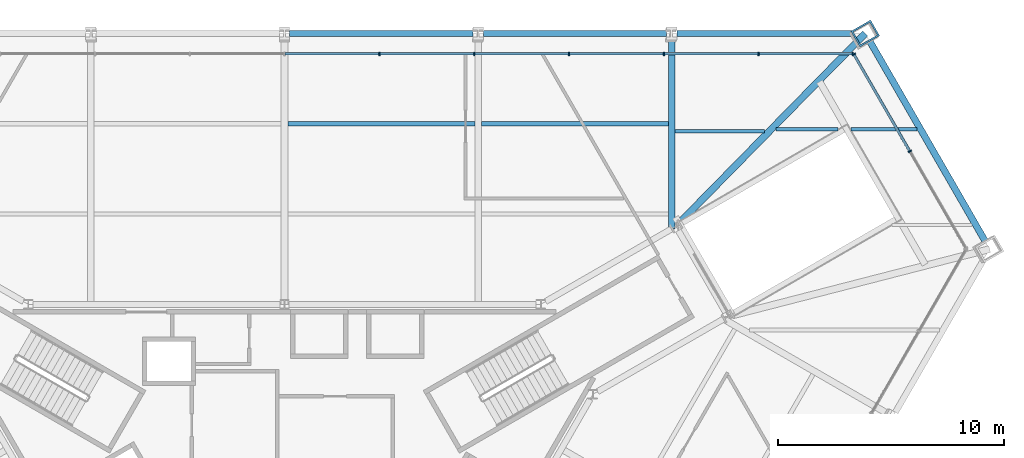
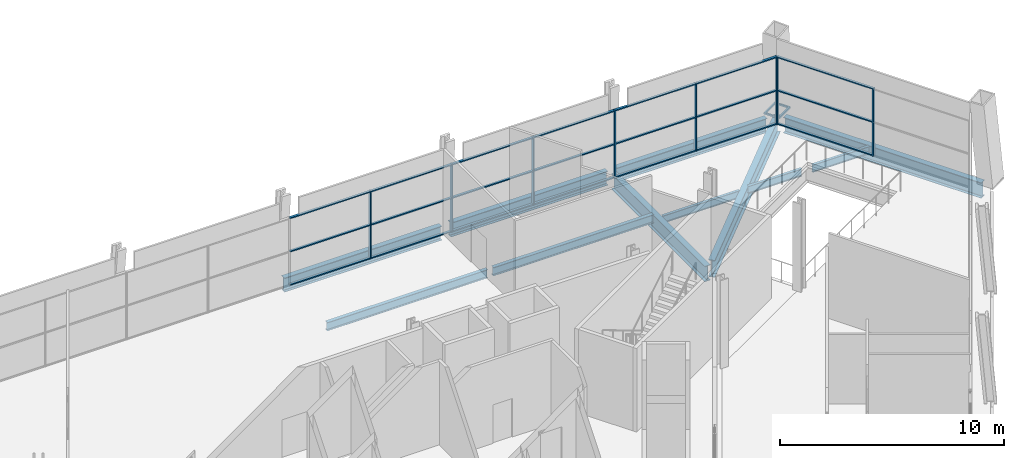
# One storey, part 10 of 18: 30 members, 11 beams, 2 elements without a shape of their own.
"""IFC4 building model written with IfcOpenShell, lengths in metres."""

import ifcopenshell
import ifcopenshell.guid

model = None  # the IFC model being written
_history = None  # IfcOwnerHistory: only IFC2X3 demands one
_inside = {}  # id of a spatial element -> (the spatial element, [elements in it])
_under = {}  # id of a project, library or spatial element -> (it, [spatial elements below it])
_declared = {}  # id of a project -> (the project, [libraries it declares])
_typed = {}  # id of a type object -> (the type object, [elements of that type])
_made_of = {}  # id of a material, layer set ... -> (it, [elements and type objects made of it])


def new_model(schema):
    """Start an empty IFC model of exactly this schema.

    Asked for "IFC4X3", IfcOpenShell would pick the latest addendum, in which some entities
    have other attributes; the version numbers below select the first issue.
    IFC2X3 requires an IfcOwnerHistory on every rooted entity: one is made here for all.
    """
    global model, _history
    if schema == "IFC4X3":
        model = ifcopenshell.file(schema_version=(4, 3, 0, 0))
    else:
        model = ifcopenshell.file(schema=schema)
    _inside.clear()
    _under.clear()
    _declared.clear()
    _typed.clear()
    _made_of.clear()
    _history = None
    if model.schema == "IFC2X3":
        org = make("IfcOrganization", Name="unknown")
        user = make(
            "IfcPersonAndOrganization",
            ThePerson=make("IfcPerson", FamilyName="unknown"),
            TheOrganization=org,
        )
        app = make(
            "IfcApplication",
            ApplicationDeveloper=org,
            Version="unknown",
            ApplicationFullName="unknown",
            ApplicationIdentifier="unknown",
        )
        _history = make(
            "IfcOwnerHistory",
            OwningUser=user,
            OwningApplication=app,
            ChangeAction="ADDED",
            CreationDate=0,
        )
    return model


def make(cls, **values):
    """One entity of the class cls with the attributes given. An attribute that is None is left unset."""
    return model.create_entity(
        cls, **{name: value for name, value in values.items() if value is not None}
    )


def rooted(cls, **values):
    """An entity with a GlobalId (a new one), such as an element, a storey or a relation."""
    return make(cls, GlobalId=ifcopenshell.guid.new(), OwnerHistory=_history, **values)


def si_unit(unit_type, name, prefix=None):
    """IfcSIUnit, for example si_unit("LENGTHUNIT", "METRE", prefix="MILLI")."""
    return make("IfcSIUnit", UnitType=unit_type, Prefix=prefix, Name=name)


def assignment(units):
    """IfcUnitAssignment: the units of a project."""
    return None if units is None else make("IfcUnitAssignment", Units=units)


def point(xyz):
    """IfcCartesianPoint."""
    return None if xyz is None else make("IfcCartesianPoint", Coordinates=xyz)


def direction(xyz):
    """IfcDirection."""
    return None if xyz is None else make("IfcDirection", DirectionRatios=xyz)


def frame(location, z_axis=None, x_axis=None):
    """IfcAxis2Placement3D, a coordinate frame: its origin and axes. An axis left out is left unset."""
    return make(
        "IfcAxis2Placement3D",
        Location=point(location),
        Axis=direction(z_axis),
        RefDirection=direction(x_axis),
    )


def frame_2d(location, x_axis=None):
    """IfcAxis2Placement2D, a coordinate frame in the plane: its origin and x axis."""
    return make(
        "IfcAxis2Placement2D", Location=point(location), RefDirection=direction(x_axis)
    )


def origin():
    """The frame at (0, 0, 0) with its axes left unset."""
    return frame((0.0, 0.0, 0.0))


def origin_2d():
    """The frame at (0, 0) in the plane with its x axis left unset."""
    return frame_2d((0.0, 0.0))


def place(relative_to, where):
    """IfcLocalPlacement: puts the frame where relative to a parent placement (None: the world)."""
    return make(
        "IfcLocalPlacement", PlacementRelTo=relative_to, RelativePlacement=where
    )


def context(
    kind, dimensions, precision=None, world=None, true_north=None, identifier=None
):
    """IfcGeometricRepresentationContext, for example the 3D "Model" context."""
    return make(
        "IfcGeometricRepresentationContext",
        ContextIdentifier=identifier,
        ContextType=kind,
        CoordinateSpaceDimension=dimensions,
        Precision=precision,
        WorldCoordinateSystem=world,
        TrueNorth=true_north,
    )


def subcontext(parent, identifier, kind, view, scale=None):
    """IfcGeometricRepresentationSubContext, for example "Body" below "Model"."""
    return make(
        "IfcGeometricRepresentationSubContext",
        ContextIdentifier=identifier,
        ContextType=kind,
        ParentContext=parent,
        TargetScale=scale,
        TargetView=view,
    )


def project(units=None, contexts=None):
    """IfcProject with its units and contexts."""
    return rooted(
        "IfcProject",
        Name="project",
        RepresentationContexts=contexts,
        UnitsInContext=assignment(units),
    )


def spatial(cls, under=None, at=None, **own):
    """A site, building, storey or space (cls), placed at a placement, below another one or the project."""
    s = rooted(cls, ObjectPlacement=at, **own)
    if under is not None:
        _under.setdefault(under.id(), (under, []))[1].append(s)
    return s


def profile(cls, at=None, kind="AREA", **sizes):
    """A parametric profile (cls). Its sizes go by their IFC names, for example OverallWidth=200.0."""
    return make(cls, ProfileType=kind, Position=at, **sizes)


def rectangle(**sizes):
    """IfcRectangleProfileDef."""
    return profile("IfcRectangleProfileDef", **sizes)


def hollow_rectangle(**sizes):
    """IfcRectangleHollowProfileDef."""
    return profile("IfcRectangleHollowProfileDef", **sizes)


def i_section(**sizes):
    """IfcIShapeProfileDef."""
    return profile("IfcIShapeProfileDef", **sizes)


def extrude(swept, where, along, depth):
    """IfcExtrudedAreaSolid: the profile swept, set in the frame where, extruded along a direction by depth."""
    return make(
        "IfcExtrudedAreaSolid",
        SweptArea=swept,
        Position=where,
        ExtrudedDirection=direction(along),
        Depth=depth,
    )


def shape(context_of_items, identifier, shape_type, items):
    """IfcShapeRepresentation: the items that make up one representation, for example the "Body"."""
    return make(
        "IfcShapeRepresentation",
        ContextOfItems=context_of_items,
        RepresentationIdentifier=identifier,
        RepresentationType=shape_type,
        Items=items,
    )


def material(Name=None, Category=None):
    """IfcMaterial."""
    return make("IfcMaterial", Name=Name, Category=Category)


def layer(
    of_material, thickness, ventilated=None, Name=None, Category=None, Priority=None
):
    """IfcMaterialLayer: one layer of a wall or slab, of a material (None: an air gap)."""
    return make(
        "IfcMaterialLayer",
        Material=of_material,
        LayerThickness=thickness,
        IsVentilated=ventilated,
        Name=Name,
        Category=Category,
        Priority=Priority,
    )


def layer_set(layers, Name=None):
    """IfcMaterialLayerSet."""
    return make("IfcMaterialLayerSet", MaterialLayers=layers, LayerSetName=Name)


def material_profile(
    of_material, cross_section, Name=None, Category=None, Priority=None
):
    """IfcMaterialProfile: a cross section and its material."""
    return make(
        "IfcMaterialProfile",
        Name=Name,
        Material=of_material,
        Profile=cross_section,
        Priority=Priority,
        Category=Category,
    )


def profile_set(profiles, Name=None, composite=None):
    """IfcMaterialProfileSet."""
    return make(
        "IfcMaterialProfileSet",
        Name=Name,
        MaterialProfiles=profiles,
        CompositeProfile=composite,
    )


def made_of(thing, what):
    """Note that an element or type object is made of a material, layer set ...; save() writes the relation."""
    if what is not None:
        _made_of.setdefault(what.id(), (what, []))[1].append(thing)
    return thing


def type_object(cls, material=None, **own):
    """A type object (cls), such as IfcWallType, which elements share."""
    return made_of(rooted(cls, **own), material)


def element(
    cls,
    number,
    at=None,
    inside=None,
    cuts=None,
    type_object=None,
    material=None,
    context=None,
    identifier="Body",
    shape_type=None,
    held_by="IfcProductDefinitionShape",
    body=None,
    shapes=None,
    **own,
):
    """One element of the class cls, such as IfcWall. Its Tag is "e" and its number.

    at: its placement. inside: the storey or other place that contains it. cuts: it is an
    opening in that element (IfcRelVoidsElement). A single representation is given by context,
    identifier, shape_type and body (its items); several are given by shapes. held_by: the class
    of the entity that holds the representations. save() writes the other relations.
    """
    e = rooted(cls, Tag="e%d" % number, ObjectPlacement=at, **own)
    if body is not None:
        shapes = [shape(context, identifier, shape_type, body)]
    if shapes is not None:
        e.Representation = make(held_by, Representations=shapes)
    if inside is not None:
        _inside.setdefault(inside.id(), (inside, []))[1].append(e)
    if cuts is not None:
        rooted(
            "IfcRelVoidsElement", RelatingBuildingElement=cuts, RelatedOpeningElement=e
        )
    if type_object is not None:
        _typed.setdefault(type_object.id(), (type_object, []))[1].append(e)
    return made_of(e, material)


def aggregate(whole, parts):
    """IfcRelAggregates: a whole, such as a stair, and the parts it consists of."""
    return rooted("IfcRelAggregates", RelatingObject=whole, RelatedObjects=parts)


def save(model, path):
    """Write the relations noted so far, then the file.

    IfcRelAggregates (storeys below a building ...), IfcRelContainedInSpatialStructure (elements
    in a storey), IfcRelDefinesByType, IfcRelAssociatesMaterial and IfcRelDeclares: one each for
    every whole, place, type object, material and project.
    """
    for whole, parts in _under.values():
        aggregate(whole, parts)
    for where, things in _inside.values():
        rooted(
            "IfcRelContainedInSpatialStructure",
            RelatedElements=things,
            RelatingStructure=where,
        )
    for kind, things in _typed.values():
        rooted("IfcRelDefinesByType", RelatedObjects=things, RelatingType=kind)
    for what, things in _made_of.values():
        rooted("IfcRelAssociatesMaterial", RelatedObjects=things, RelatingMaterial=what)
    for by, libraries in _declared.values():
        rooted("IfcRelDeclares", RelatingContext=by, RelatedDefinitions=libraries)
    model.write(path)


model = new_model("IFC4")

# Units and contexts
model_context = context("Model", 3, precision=1e-05, world=origin(), true_north=direction((0.0, 1.0)))
body_context = subcontext(model_context, "Body", "Model", "MODEL_VIEW")
ifc_project = project(units=[si_unit("LENGTHUNIT", "METRE"), si_unit("AREAUNIT", "SQUARE_METRE"), si_unit("VOLUMEUNIT", "CUBIC_METRE"), si_unit("PLANEANGLEUNIT", "RADIAN"), si_unit("MASSUNIT", "GRAM", prefix="KILO")], contexts=[model_context])

# Site, building, storey
site_placement = place(None, origin())
site = spatial("IfcSite", under=ifc_project, at=site_placement, CompositionType="ELEMENT")
building_placement = place(site_placement, origin())
building = spatial("IfcBuilding", under=site, at=building_placement, Name="Verrane Prism Tower", CompositionType="ELEMENT")
storey_placement = place(building_placement, frame((0.0, 0.0, 32.0)))
storey = spatial("IfcBuildingStorey", under=building, at=storey_placement, Name="L05", CompositionType="ELEMENT", Elevation=32.0)

# Curtain wall, members
ifc_material_1 = material(Name="Aluminium and glass curtain wall", Category="aluminium")
ifc_layer = layer(ifc_material_1, 0.199951171875)
ifc_layer_set = layer_set([ifc_layer], Name="CWB-1 retail curtain wall")
curtain_wall_type = type_object("IfcCurtainWallType", Name="CWB-1 retail curtain wall", PredefinedType="NOTDEFINED", material=ifc_layer_set)
curtain_wall_1_placement = place(storey_placement, origin())
curtain_wall_1 = element("IfcCurtainWall", 1, at=curtain_wall_1_placement, inside=storey, type_object=curtain_wall_type, Name="Retail curtain wall L05 1", PredefinedType="NOTDEFINED")
ifc_material_2 = material(Name="Aluminium", Category="aluminium")
ifc_material_profile_1 = material_profile(ifc_material_2, rectangle(XDim=0.159912109375, YDim=0.06005859375, at=origin_2d()), Name="CWB-M 60x160 mullion")
ifc_profile_set_1 = profile_set([ifc_material_profile_1], Name="Aluminium")
member_type_1 = type_object("IfcMemberType", Name="CWB-M 60x160 mullion", PredefinedType="MULLION", material=ifc_profile_set_1)
member_1_placement = place(storey_placement, frame((27.63818359375, 15.956787109375, 0.0), z_axis=(0.0, 0.0, 1.0), x_axis=(-0.866025871, -0.499999190758, 0.0)))
member_1 = element("IfcMember", 2, at=member_1_placement, type_object=member_type_1, Name="CWB51 mullion 2", PredefinedType="MULLION", context=body_context, shape_type="SweptSolid", body=[
    extrude(rectangle(XDim=0.159912109375, YDim=0.06005859375, at=origin_2d()), origin(), (0.0, 0.0, 1.0), 3.68994140625),
])
member_2_placement = place(storey_placement, frame((25.162841796875, 20.244140625, 0.0), z_axis=(0.0, 0.0, 1.0), x_axis=(-0.866025871, -0.499999190758, 0.0)))
member_2 = element("IfcMember", 3, at=member_2_placement, type_object=member_type_1, Name="CWB51 mullion 3", PredefinedType="MULLION", context=body_context, shape_type="SweptSolid", body=[
    extrude(rectangle(XDim=0.159912109375, YDim=0.06005859375, at=origin_2d()), origin(), (0.0, 0.0, 1.0), 3.68994140625),
])

curtain_wall_2_placement = place(storey_placement, origin())
curtain_wall_2 = element("IfcCurtainWall", 4, at=curtain_wall_2_placement, inside=storey, type_object=curtain_wall_type, Name="Retail curtain wall L05 2", PredefinedType="NOTDEFINED")
member_3_placement = place(storey_placement, frame((25.117919921875, 20.27001953125, 0.0), z_axis=(0.0, 0.0, 1.0), x_axis=(0.0, -1.0, 0.0)))
member_3 = element("IfcMember", 5, at=member_3_placement, type_object=member_type_1, Name="CWB52 mullion 1", PredefinedType="MULLION", context=body_context, shape_type="SweptSolid", body=[
    extrude(rectangle(XDim=0.159912109375, YDim=0.06005859375, at=origin_2d()), origin(), (0.0, 0.0, 1.0), 3.68994140625),
])
member_4_placement = place(storey_placement, frame((20.95654296875, 20.27001953125, 0.0), z_axis=(0.0, 0.0, 1.0), x_axis=(0.0, -1.0, 0.0)))
member_4 = element("IfcMember", 6, at=member_4_placement, type_object=member_type_1, Name="CWB52 mullion 2", PredefinedType="MULLION", context=body_context, shape_type="SweptSolid", body=[
    extrude(rectangle(XDim=0.159912109375, YDim=0.06005859375, at=origin_2d()), origin(), (0.0, 0.0, 1.0), 3.68994140625),
])
member_5_placement = place(storey_placement, frame((16.76513671875, 20.27001953125, 0.0), z_axis=(0.0, 0.0, 1.0), x_axis=(0.0, -1.0, 0.0)))
member_5 = element("IfcMember", 7, at=member_5_placement, type_object=member_type_1, Name="CWB52 mullion 3", PredefinedType="MULLION", context=body_context, shape_type="SweptSolid", body=[
    extrude(rectangle(XDim=0.159912109375, YDim=0.06005859375, at=origin_2d()), origin(), (0.0, 0.0, 1.0), 3.68994140625),
])
member_6_placement = place(storey_placement, frame((12.573974609375, 20.27001953125, 0.0), z_axis=(0.0, 0.0, 1.0), x_axis=(0.0, -1.0, 0.0)))
member_6 = element("IfcMember", 8, at=member_6_placement, type_object=member_type_1, Name="CWB52 mullion 4", PredefinedType="MULLION", context=body_context, shape_type="SweptSolid", body=[
    extrude(rectangle(XDim=0.159912109375, YDim=0.06005859375, at=origin_2d()), origin(), (0.0, 0.0, 1.0), 3.68994140625),
])
member_7_placement = place(storey_placement, frame((8.382568359375, 20.27001953125, 0.0), z_axis=(0.0, 0.0, 1.0), x_axis=(0.0, -1.0, 0.0)))
member_7 = element("IfcMember", 9, at=member_7_placement, type_object=member_type_1, Name="CWB52 mullion 5", PredefinedType="MULLION", context=body_context, shape_type="SweptSolid", body=[
    extrude(rectangle(XDim=0.159912109375, YDim=0.06005859375, at=origin_2d()), origin(), (0.0, 0.0, 1.0), 3.68994140625),
])
member_8_placement = place(storey_placement, frame((4.19140625, 20.27001953125, 0.0), z_axis=(0.0, 0.0, 1.0), x_axis=(0.0, -1.0, 0.0)))
member_8 = element("IfcMember", 10, at=member_8_placement, type_object=member_type_1, Name="CWB52 mullion 6", PredefinedType="MULLION", context=body_context, shape_type="SweptSolid", body=[
    extrude(rectangle(XDim=0.159912109375, YDim=0.06005859375, at=origin_2d()), origin(), (0.0, 0.0, 1.0), 3.68994140625),
])

# Member
ifc_material_3 = material(Name="Aluminium", Category="aluminium")
ifc_material_profile_2 = material_profile(ifc_material_3, rectangle(XDim=0.1201171875, YDim=0.06005859375, at=origin_2d()), Name="CWB-T 60x120 transom")
ifc_profile_set_2 = profile_set([ifc_material_profile_2], Name="Aluminium")
member_type_2 = type_object("IfcMemberType", Name="CWB-T 60x120 transom", PredefinedType="USERDEFINED", material=ifc_profile_set_2)
member_9_placement = place(storey_placement, frame((27.623046875, 15.98291015625, 0.030029296875), z_axis=(-0.499988949793, 0.86603178353, 0.0), x_axis=(-0.86603178353, -0.499988949793, 0.0)))
member_9 = element("IfcMember", 11, at=member_9_placement, type_object=member_type_2, Name="CWB51 transom 2.1", ObjectType="TRANSOM", PredefinedType="USERDEFINED", context=body_context, shape_type="SweptSolid", body=[
    extrude(rectangle(XDim=0.1201171875, YDim=0.06005859375, at=origin_2d()), origin(), (0.0, 0.0, 1.0), 4.89013671875),
])

member_10_placement = place(storey_placement, frame((27.623046875, 15.98291015625, 1.844970703125), z_axis=(-0.499988949793, 0.86603178353, 0.0), x_axis=(-0.86603178353, -0.499988949793, 0.0)))
member_10 = element("IfcMember", 12, at=member_10_placement, type_object=member_type_2, Name="CWB51 transom 2.2", ObjectType="TRANSOM", PredefinedType="USERDEFINED", context=body_context, shape_type="SweptSolid", body=[
    extrude(rectangle(XDim=0.1201171875, YDim=0.06005859375, at=origin_2d()), origin(), (0.0, 0.0, 1.0), 4.89013671875),
])

member_11_placement = place(storey_placement, frame((27.623046875, 15.98291015625, 3.659912109375), z_axis=(-0.499988949793, 0.86603178353, 0.0), x_axis=(-0.86603178353, -0.499988949793, 0.0)))
member_11 = element("IfcMember", 13, at=member_11_placement, type_object=member_type_2, Name="CWB51 transom 2.3", ObjectType="TRANSOM", PredefinedType="USERDEFINED", context=body_context, shape_type="SweptSolid", body=[
    extrude(rectangle(XDim=0.1201171875, YDim=0.06005859375, at=origin_2d()), origin(), (0.0, 0.0, 1.0), 4.89013671875),
])

aggregate(curtain_wall_1, [member_1, member_2, member_9, member_10, member_11])

member_12_placement = place(storey_placement, frame((25.087890625, 20.27001953125, 0.030029296875), z_axis=(-1.0, 0.0, 0.0), x_axis=(0.0, -1.0, 0.0)))
member_12 = element("IfcMember", 14, at=member_12_placement, type_object=member_type_2, Name="CWB52 transom 1.1", ObjectType="TRANSOM", PredefinedType="USERDEFINED", context=body_context, shape_type="SweptSolid", body=[
    extrude(rectangle(XDim=0.1201171875, YDim=0.06005859375, at=origin_2d()), origin(), (0.0, 0.0, 1.0), 4.101318359375),
])

member_13_placement = place(storey_placement, frame((25.087890625, 20.27001953125, 1.844970703125), z_axis=(-1.0, 0.0, 0.0), x_axis=(0.0, -1.0, 0.0)))
member_13 = element("IfcMember", 15, at=member_13_placement, type_object=member_type_2, Name="CWB52 transom 1.2", ObjectType="TRANSOM", PredefinedType="USERDEFINED", context=body_context, shape_type="SweptSolid", body=[
    extrude(rectangle(XDim=0.1201171875, YDim=0.06005859375, at=origin_2d()), origin(), (0.0, 0.0, 1.0), 4.101318359375),
])

member_14_placement = place(storey_placement, frame((25.087890625, 20.27001953125, 3.659912109375), z_axis=(-1.0, 0.0, 0.0), x_axis=(0.0, -1.0, 0.0)))
member_14 = element("IfcMember", 16, at=member_14_placement, type_object=member_type_2, Name="CWB52 transom 1.3", ObjectType="TRANSOM", PredefinedType="USERDEFINED", context=body_context, shape_type="SweptSolid", body=[
    extrude(rectangle(XDim=0.1201171875, YDim=0.06005859375, at=origin_2d()), origin(), (0.0, 0.0, 1.0), 4.101318359375),
])

member_15_placement = place(storey_placement, frame((20.926513671875, 20.27001953125, 0.030029296875), z_axis=(-1.0, 0.0, 0.0), x_axis=(0.0, -1.0, 0.0)))
member_15 = element("IfcMember", 17, at=member_15_placement, type_object=member_type_2, Name="CWB52 transom 2.1", ObjectType="TRANSOM", PredefinedType="USERDEFINED", context=body_context, shape_type="SweptSolid", body=[
    extrude(rectangle(XDim=0.1201171875, YDim=0.06005859375, at=origin_2d()), origin(), (0.0, 0.0, 1.0), 4.13134765625),
])

member_16_placement = place(storey_placement, frame((20.926513671875, 20.27001953125, 1.844970703125), z_axis=(-1.0, 0.0, 0.0), x_axis=(0.0, -1.0, 0.0)))
member_16 = element("IfcMember", 18, at=member_16_placement, type_object=member_type_2, Name="CWB52 transom 2.2", ObjectType="TRANSOM", PredefinedType="USERDEFINED", context=body_context, shape_type="SweptSolid", body=[
    extrude(rectangle(XDim=0.1201171875, YDim=0.06005859375, at=origin_2d()), origin(), (0.0, 0.0, 1.0), 4.13134765625),
])

member_17_placement = place(storey_placement, frame((20.926513671875, 20.27001953125, 3.659912109375), z_axis=(-1.0, 0.0, 0.0), x_axis=(0.0, -1.0, 0.0)))
member_17 = element("IfcMember", 19, at=member_17_placement, type_object=member_type_2, Name="CWB52 transom 2.3", ObjectType="TRANSOM", PredefinedType="USERDEFINED", context=body_context, shape_type="SweptSolid", body=[
    extrude(rectangle(XDim=0.1201171875, YDim=0.06005859375, at=origin_2d()), origin(), (0.0, 0.0, 1.0), 4.13134765625),
])

member_18_placement = place(storey_placement, frame((16.7353515625, 20.27001953125, 0.030029296875), z_axis=(-1.0, 0.0, 0.0), x_axis=(0.0, -1.0, 0.0)))
member_18 = element("IfcMember", 20, at=member_18_placement, type_object=member_type_2, Name="CWB52 transom 3.1", ObjectType="TRANSOM", PredefinedType="USERDEFINED", context=body_context, shape_type="SweptSolid", body=[
    extrude(rectangle(XDim=0.1201171875, YDim=0.06005859375, at=origin_2d()), origin(), (0.0, 0.0, 1.0), 4.13134765625),
])

member_19_placement = place(storey_placement, frame((16.7353515625, 20.27001953125, 1.844970703125), z_axis=(-1.0, 0.0, 0.0), x_axis=(0.0, -1.0, 0.0)))
member_19 = element("IfcMember", 21, at=member_19_placement, type_object=member_type_2, Name="CWB52 transom 3.2", ObjectType="TRANSOM", PredefinedType="USERDEFINED", context=body_context, shape_type="SweptSolid", body=[
    extrude(rectangle(XDim=0.1201171875, YDim=0.06005859375, at=origin_2d()), origin(), (0.0, 0.0, 1.0), 4.13134765625),
])

member_20_placement = place(storey_placement, frame((16.7353515625, 20.27001953125, 3.659912109375), z_axis=(-1.0, 0.0, 0.0), x_axis=(0.0, -1.0, 0.0)))
member_20 = element("IfcMember", 22, at=member_20_placement, type_object=member_type_2, Name="CWB52 transom 3.3", ObjectType="TRANSOM", PredefinedType="USERDEFINED", context=body_context, shape_type="SweptSolid", body=[
    extrude(rectangle(XDim=0.1201171875, YDim=0.06005859375, at=origin_2d()), origin(), (0.0, 0.0, 1.0), 4.13134765625),
])

member_21_placement = place(storey_placement, frame((12.5439453125, 20.27001953125, 0.030029296875), z_axis=(-1.0, 0.0, 0.0), x_axis=(0.0, -1.0, 0.0)))
member_21 = element("IfcMember", 23, at=member_21_placement, type_object=member_type_2, Name="CWB52 transom 4.1", ObjectType="TRANSOM", PredefinedType="USERDEFINED", context=body_context, shape_type="SweptSolid", body=[
    extrude(rectangle(XDim=0.1201171875, YDim=0.06005859375, at=origin_2d()), origin(), (0.0, 0.0, 1.0), 4.13134765625),
])

member_22_placement = place(storey_placement, frame((12.5439453125, 20.27001953125, 1.844970703125), z_axis=(-1.0, 0.0, 0.0), x_axis=(0.0, -1.0, 0.0)))
member_22 = element("IfcMember", 24, at=member_22_placement, type_object=member_type_2, Name="CWB52 transom 4.2", ObjectType="TRANSOM", PredefinedType="USERDEFINED", context=body_context, shape_type="SweptSolid", body=[
    extrude(rectangle(XDim=0.1201171875, YDim=0.06005859375, at=origin_2d()), origin(), (0.0, 0.0, 1.0), 4.13134765625),
])

member_23_placement = place(storey_placement, frame((12.5439453125, 20.27001953125, 3.659912109375), z_axis=(-1.0, 0.0, 0.0), x_axis=(0.0, -1.0, 0.0)))
member_23 = element("IfcMember", 25, at=member_23_placement, type_object=member_type_2, Name="CWB52 transom 4.3", ObjectType="TRANSOM", PredefinedType="USERDEFINED", context=body_context, shape_type="SweptSolid", body=[
    extrude(rectangle(XDim=0.1201171875, YDim=0.06005859375, at=origin_2d()), origin(), (0.0, 0.0, 1.0), 4.13134765625),
])

member_24_placement = place(storey_placement, frame((8.3525390625, 20.27001953125, 0.030029296875), z_axis=(-1.0, 0.0, 0.0), x_axis=(0.0, -1.0, 0.0)))
member_24 = element("IfcMember", 26, at=member_24_placement, type_object=member_type_2, Name="CWB52 transom 5.1", ObjectType="TRANSOM", PredefinedType="USERDEFINED", context=body_context, shape_type="SweptSolid", body=[
    extrude(rectangle(XDim=0.1201171875, YDim=0.06005859375, at=origin_2d()), origin(), (0.0, 0.0, 1.0), 4.131103515625),
])

member_25_placement = place(storey_placement, frame((8.3525390625, 20.27001953125, 1.844970703125), z_axis=(-1.0, 0.0, 0.0), x_axis=(0.0, -1.0, 0.0)))
member_25 = element("IfcMember", 27, at=member_25_placement, type_object=member_type_2, Name="CWB52 transom 5.2", ObjectType="TRANSOM", PredefinedType="USERDEFINED", context=body_context, shape_type="SweptSolid", body=[
    extrude(rectangle(XDim=0.1201171875, YDim=0.06005859375, at=origin_2d()), origin(), (0.0, 0.0, 1.0), 4.131103515625),
])

member_26_placement = place(storey_placement, frame((8.3525390625, 20.27001953125, 3.659912109375), z_axis=(-1.0, 0.0, 0.0), x_axis=(0.0, -1.0, 0.0)))
member_26 = element("IfcMember", 28, at=member_26_placement, type_object=member_type_2, Name="CWB52 transom 5.3", ObjectType="TRANSOM", PredefinedType="USERDEFINED", context=body_context, shape_type="SweptSolid", body=[
    extrude(rectangle(XDim=0.1201171875, YDim=0.06005859375, at=origin_2d()), origin(), (0.0, 0.0, 1.0), 4.131103515625),
])

member_27_placement = place(storey_placement, frame((4.161376953125, 20.27001953125, 0.030029296875), z_axis=(-1.0, 0.0, 0.0), x_axis=(0.0, -1.0, 0.0)))
member_27 = element("IfcMember", 29, at=member_27_placement, type_object=member_type_2, Name="CWB52 transom 6.1", ObjectType="TRANSOM", PredefinedType="USERDEFINED", context=body_context, shape_type="SweptSolid", body=[
    extrude(rectangle(XDim=0.1201171875, YDim=0.06005859375, at=origin_2d()), origin(), (0.0, 0.0, 1.0), 4.13134765625),
])

member_28_placement = place(storey_placement, frame((4.161376953125, 20.27001953125, 1.844970703125), z_axis=(-1.0, 0.0, 0.0), x_axis=(0.0, -1.0, 0.0)))
member_28 = element("IfcMember", 30, at=member_28_placement, type_object=member_type_2, Name="CWB52 transom 6.2", ObjectType="TRANSOM", PredefinedType="USERDEFINED", context=body_context, shape_type="SweptSolid", body=[
    extrude(rectangle(XDim=0.1201171875, YDim=0.06005859375, at=origin_2d()), origin(), (0.0, 0.0, 1.0), 4.13134765625),
])

member_29_placement = place(storey_placement, frame((4.161376953125, 20.27001953125, 3.659912109375), z_axis=(-1.0, 0.0, 0.0), x_axis=(0.0, -1.0, 0.0)))
member_29 = element("IfcMember", 31, at=member_29_placement, type_object=member_type_2, Name="CWB52 transom 6.3", ObjectType="TRANSOM", PredefinedType="USERDEFINED", context=body_context, shape_type="SweptSolid", body=[
    extrude(rectangle(XDim=0.1201171875, YDim=0.06005859375, at=origin_2d()), origin(), (0.0, 0.0, 1.0), 4.13134765625),
])

aggregate(curtain_wall_2, [member_3, member_4, member_5, member_6, member_7, member_8, member_12, member_13, member_14, member_15, member_16, member_17, member_18, member_19, member_20, member_21, member_22, member_23, member_24, member_25, member_26, member_27, member_28, member_29])

# Beams
ifc_material_4 = material(Name="Steel A992", Category="steel")
ifc_material_profile_3 = material_profile(ifc_material_4, i_section(OverallWidth=0.2919921875, OverallDepth=0.845703125, WebThickness=0.015380859375, FlangeThickness=0.0244140625, FilletRadius=0.017822265625, at=origin_2d()), Name="W33x141")
ifc_profile_set_3 = profile_set([ifc_material_profile_3], Name="Steel A992")
beam_type_1 = type_object("IfcBeamType", Name="Chamfer spandrel beam W33x141", PredefinedType="SPANDREL", material=ifc_profile_set_3)
beam_1_placement = place(storey_placement, frame((30.97021484375, 11.986328125, -0.5830078125), z_axis=(-0.49986813558, 0.866101522359, 0.0), x_axis=(-0.866101522359, -0.49986813558, 0.0)))
element("IfcBeam", 32, at=beam_1_placement, inside=storey, type_object=beam_type_1, Name="Chamfer spandrel beam L05", PredefinedType="SPANDREL", context=body_context, shape_type="SweptSolid", body=[
    extrude(i_section(OverallWidth=0.2919921875, OverallDepth=0.845703125, WebThickness=0.015380859375, FlangeThickness=0.0244140625, FilletRadius=0.017822265625, at=origin_2d()), origin(), (0.0, 0.0, 1.0), 10.203369140625),
])
ifc_material_5 = material(Name="Steel A992", Category="steel")
ifc_material_profile_4 = material_profile(ifc_material_5, i_section(OverallWidth=0.307373046875, OverallDepth=0.927001953125, WebThickness=0.01953125, FlangeThickness=0.031982421875, FilletRadius=0.01904296875, at=origin_2d()), Name="W36x194")
ifc_profile_set_4 = profile_set([ifc_material_profile_4], Name="Steel A992")
beam_type_2 = type_object("IfcBeamType", Name="Corner girder W36x194", PredefinedType="BEAM", material=ifc_profile_set_4)
beam_2_placement = place(storey_placement, frame((25.66845703125, 21.16845703125, -0.68359375), z_axis=(-0.700377975453, -0.713772156574, 0.0), x_axis=(0.713772156574, -0.700377975453, 0.0)))
element("IfcBeam", 33, at=beam_2_placement, inside=storey, type_object=beam_type_2, Name="Corner girder L05", PredefinedType="BEAM", context=body_context, shape_type="SweptSolid", body=[
    extrude(i_section(OverallWidth=0.307373046875, OverallDepth=0.927001953125, WebThickness=0.01953125, FlangeThickness=0.031982421875, FilletRadius=0.01904296875, at=origin_2d()), origin(), (0.0, 0.0, 1.0), 11.701904296875),
])
ifc_material_6 = material(Name="Steel A992", Category="steel")
ifc_material_profile_5 = material_profile(ifc_material_6, i_section(OverallWidth=0.140380859375, OverallDepth=0.40380859375, WebThickness=0.007080078125, FlangeThickness=0.01123046875, FilletRadius=0.01025390625, at=origin_2d()), Name="W16x31")
ifc_profile_set_5 = profile_set([ifc_material_profile_5], Name="Steel A992")
beam_type_3 = type_object("IfcBeamType", Name="Floor beam W16x31", PredefinedType="BEAM", material=ifc_profile_set_5)
beam_3_placement = place(storey_placement, frame((17.256103515625, 16.85009765625, -0.36181640625), z_axis=(1.0, 0.0, 0.0), x_axis=(0.0, 1.0, 0.0)))
element("IfcBeam", 34, at=beam_3_placement, inside=storey, type_object=beam_type_3, Name="Floor beam L05", PredefinedType="BEAM", context=body_context, shape_type="SweptSolid", body=[
    extrude(i_section(OverallWidth=0.140380859375, OverallDepth=0.40380859375, WebThickness=0.007080078125, FlangeThickness=0.01123046875, FilletRadius=0.01025390625, at=origin_2d()), origin(), (0.0, 0.0, 1.0), 3.961181640625),
])
beam_4_placement = place(storey_placement, frame((21.730712890625, 16.93505859375, -0.36181640625), z_axis=(1.0, 0.0, 0.0), x_axis=(0.0, 1.0, 0.0)))
element("IfcBeam", 35, at=beam_4_placement, inside=storey, type_object=beam_type_3, Name="Floor beam L05", PredefinedType="BEAM", context=body_context, shape_type="SweptSolid", body=[
    extrude(i_section(OverallWidth=0.140380859375, OverallDepth=0.40380859375, WebThickness=0.007080078125, FlangeThickness=0.01123046875, FilletRadius=0.01025390625, at=origin_2d()), origin(), (0.0, 0.0, 1.0), 2.73681640625),
])
beam_5_placement = place(storey_placement, frame((25.030517578125, 16.93505859375, -0.36181640625), z_axis=(1.0, 0.0, 0.0), x_axis=(0.0, 1.0, 0.0)))
element("IfcBeam", 36, at=beam_5_placement, inside=storey, type_object=beam_type_3, Name="Floor beam L05", PredefinedType="BEAM", context=body_context, shape_type="SweptSolid", body=[
    extrude(i_section(OverallWidth=0.140380859375, OverallDepth=0.40380859375, WebThickness=0.007080078125, FlangeThickness=0.01123046875, FilletRadius=0.01025390625, at=origin_2d()), origin(), (0.0, 0.0, 1.0), 2.9150390625),
])
ifc_material_7 = material(Name="Steel A992", Category="steel")
ifc_material_profile_6 = material_profile(ifc_material_7, i_section(OverallWidth=0.1904296875, OverallDepth=0.457275390625, WebThickness=0.009033203125, FlangeThickness=0.014404296875, FilletRadius=0.01025390625, at=origin_2d()), Name="W18x50")
ifc_profile_set_6 = profile_set([ifc_material_profile_6], Name="Steel A992")
beam_type_4 = type_object("IfcBeamType", Name="Floor beam W18x50", PredefinedType="BEAM", material=ifc_profile_set_6)
beam_6_placement = place(storey_placement, frame((8.7060546875, 17.179931640625, -0.388671875), z_axis=(1.0, 0.0, 0.0), x_axis=(0.0, 1.0, 0.0)))
element("IfcBeam", 37, at=beam_6_placement, inside=storey, type_object=beam_type_4, Name="Floor beam L05", PredefinedType="BEAM", context=body_context, shape_type="SweptSolid", body=[
    extrude(i_section(OverallWidth=0.1904296875, OverallDepth=0.457275390625, WebThickness=0.009033203125, FlangeThickness=0.014404296875, FilletRadius=0.01025390625, at=origin_2d()), origin(), (0.0, 0.0, 1.0), 8.258056640625),
])
beam_7_placement = place(storey_placement, frame((0.14599609375, 17.179931640625, -0.388671875), z_axis=(1.0, 0.0, 0.0), x_axis=(0.0, 1.0, 0.0)))
element("IfcBeam", 38, at=beam_7_placement, inside=storey, type_object=beam_type_4, Name="Floor beam L05", PredefinedType="BEAM", context=body_context, shape_type="SweptSolid", body=[
    extrude(i_section(OverallWidth=0.1904296875, OverallDepth=0.457275390625, WebThickness=0.009033203125, FlangeThickness=0.014404296875, FilletRadius=0.01025390625, at=origin_2d()), origin(), (0.0, 0.0, 1.0), 8.26806640625),
])

# Member
ifc_material_8 = material(Name="Steel A572 Grade 50", Category="steel")
ifc_material_profile_7 = material_profile(ifc_material_8, hollow_rectangle(XDim=0.800048828125, YDim=1.0, WallThickness=0.074951171875, at=origin_2d()), Name="BOX 1000x800x75")
ifc_profile_set_7 = profile_set([ifc_material_profile_7], Name="Steel A572 Grade 50")
member_type_3 = type_object("IfcMemberType", Name="Kink node BOX 1000x800x75", PredefinedType="COLLAR", material=ifc_profile_set_7)
member_30_placement = place(storey_placement, frame((25.668701171875, 21.168212890625, -0.044921875), z_axis=(0.0, 0.0, 1.0), x_axis=(0.5, -0.866025403784, 0.0)))
element("IfcMember", 39, at=member_30_placement, inside=storey, type_object=member_type_3, Name="Kink node MC2 L05", PredefinedType="COLLAR", context=body_context, shape_type="SweptSolid", body=[
    extrude(hollow_rectangle(XDim=0.800048828125, YDim=1.0, WallThickness=0.074951171875, at=origin_2d()), origin(), (0.0, 0.0, 1.0), 0.08984375),
])

# Beams
ifc_material_9 = material(Name="Steel A992", Category="steel")
ifc_material_profile_8 = material_profile(ifc_material_9, i_section(OverallWidth=0.2919921875, OverallDepth=0.845703125, WebThickness=0.015380859375, FlangeThickness=0.0244140625, FilletRadius=0.017822265625, at=origin_2d()), Name="W33x141")
ifc_profile_set_8 = profile_set([ifc_material_profile_8], Name="Steel A992")
beam_type_5 = type_object("IfcBeamType", Name="Radial girder W33x141", PredefinedType="BEAM", material=ifc_profile_set_8)
beam_8_placement = place(storey_placement, frame((17.110107421875, 20.885498046875, -0.642822265625), z_axis=(0.0, -1.0, 0.0), x_axis=(1.0, 0.0, 0.0)))
element("IfcBeam", 40, at=beam_8_placement, inside=storey, type_object=beam_type_5, Name="Radial girder L05", PredefinedType="BEAM", context=body_context, shape_type="SweptSolid", body=[
    extrude(i_section(OverallWidth=0.2919921875, OverallDepth=0.845703125, WebThickness=0.015380859375, FlangeThickness=0.0244140625, FilletRadius=0.017822265625, at=origin_2d()), origin(), (0.0, 0.0, 1.0), 8.35498046875),
])
ifc_material_10 = material(Name="Steel A992", Category="steel")
ifc_material_profile_9 = material_profile(ifc_material_10, i_section(OverallWidth=0.2666015625, OverallDepth=0.76708984375, WebThickness=0.014892578125, FlangeThickness=0.023681640625, FilletRadius=0.0166015625, at=origin_2d()), Name="W30x124")
ifc_profile_set_9 = profile_set([ifc_material_profile_9], Name="Steel A992")
beam_type_6 = type_object("IfcBeamType", Name="Spandrel beam W30x124", PredefinedType="SPANDREL", material=ifc_profile_set_9)
beam_9_placement = place(storey_placement, frame((25.092529296875, 21.169921875, -0.54345703125), z_axis=(-1.0, 0.0, 0.0), x_axis=(0.0, -1.0, 0.0)))
element("IfcBeam", 41, at=beam_9_placement, inside=storey, type_object=beam_type_6, Name="Spandrel beam L05", PredefinedType="SPANDREL", context=body_context, shape_type="SweptSolid", body=[
    extrude(i_section(OverallWidth=0.2666015625, OverallDepth=0.76708984375, WebThickness=0.014892578125, FlangeThickness=0.023681640625, FilletRadius=0.0166015625, at=origin_2d()), origin(), (0.0, 0.0, 1.0), 7.755126953125),
])
beam_10_placement = place(storey_placement, frame((16.8828125, 21.169921875, -0.54345703125), z_axis=(-1.0, 0.0, 0.0), x_axis=(0.0, -1.0, 0.0)))
element("IfcBeam", 42, at=beam_10_placement, inside=storey, type_object=beam_type_6, Name="Spandrel beam L05", PredefinedType="SPANDREL", context=body_context, shape_type="SweptSolid", body=[
    extrude(i_section(OverallWidth=0.2666015625, OverallDepth=0.76708984375, WebThickness=0.014892578125, FlangeThickness=0.023681640625, FilletRadius=0.0166015625, at=origin_2d()), origin(), (0.0, 0.0, 1.0), 8.095458984375),
])
beam_11_placement = place(storey_placement, frame((8.332763671875, 21.169921875, -0.54345703125), z_axis=(-1.0, 0.0, 0.0), x_axis=(0.0, -1.0, 0.0)))
element("IfcBeam", 43, at=beam_11_placement, inside=storey, type_object=beam_type_6, Name="Spandrel beam L05", PredefinedType="SPANDREL", context=body_context, shape_type="SweptSolid", body=[
    extrude(i_section(OverallWidth=0.2666015625, OverallDepth=0.76708984375, WebThickness=0.014892578125, FlangeThickness=0.023681640625, FilletRadius=0.0166015625, at=origin_2d()), origin(), (0.0, 0.0, 1.0), 8.10546875),
])

save(model, "model.ifc")
